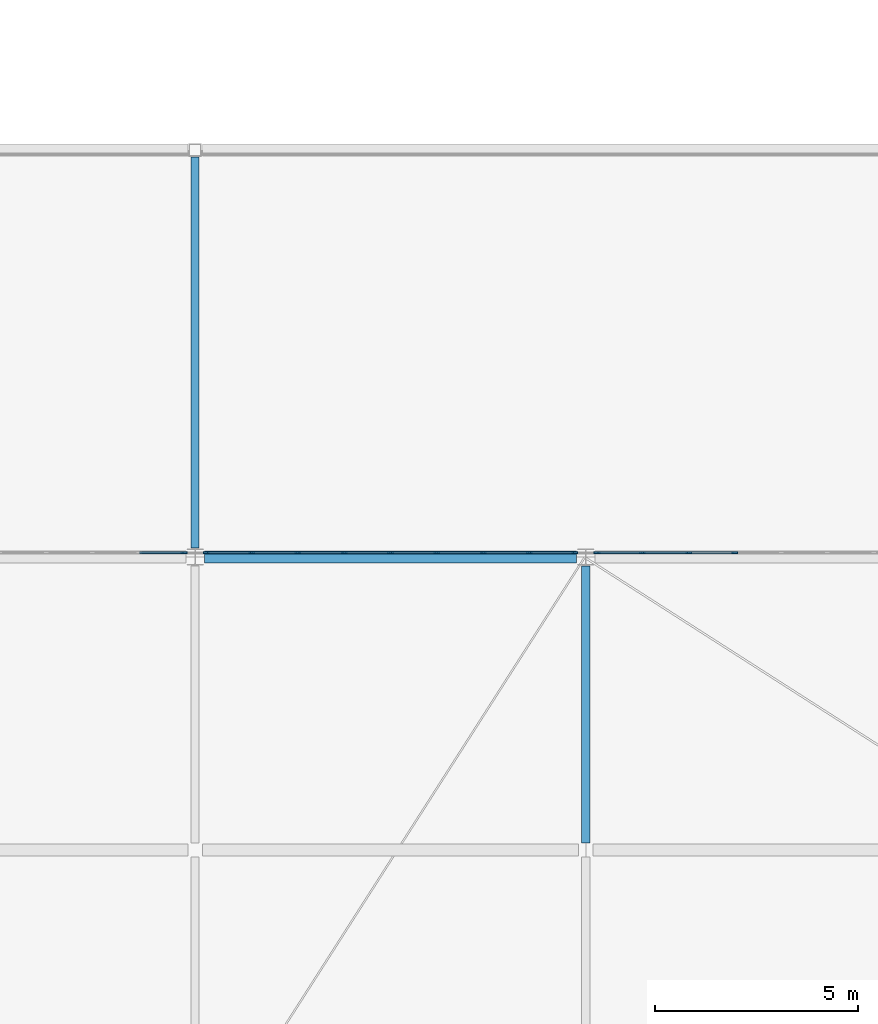
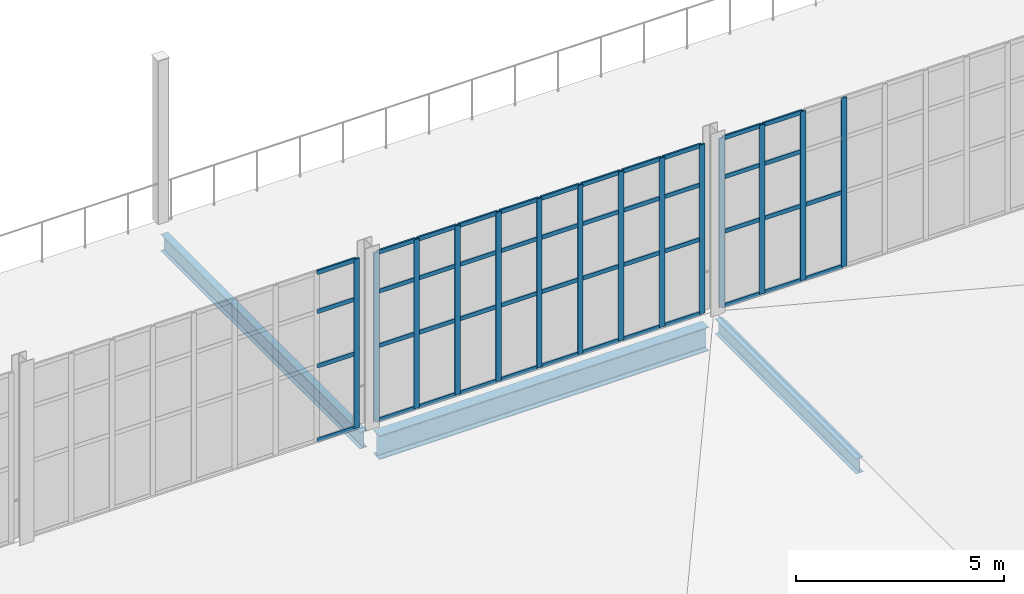
# One storey, part 35 of 112: 60 members, 3 beams, 3 elements without a shape of their own.
"""IFC4 building model written with IfcOpenShell, lengths in metres."""

from ifc_helpers import new_model, si_unit, direction, frame, origin, origin_2d, place, context, subcontext, project, spatial, rectangle, i_section, extrude, material, layer, layer_set, material_profile, profile_set, type_object, element, aggregate, save


model = new_model("IFC4")

# Units and contexts
model_context = context("Model", 3, precision=1e-05, world=origin(), true_north=direction((0.0, 1.0)))
body_context = subcontext(model_context, "Body", "Model", "MODEL_VIEW")
ifc_project = project(units=[si_unit("LENGTHUNIT", "METRE"), si_unit("AREAUNIT", "SQUARE_METRE"), si_unit("VOLUMEUNIT", "CUBIC_METRE"), si_unit("PLANEANGLEUNIT", "RADIAN"), si_unit("MASSUNIT", "GRAM", prefix="KILO")], contexts=[model_context])

# Site, building, storey
site_placement = place(None, origin())
site = spatial("IfcSite", under=ifc_project, at=site_placement, CompositionType="ELEMENT")
building_placement = place(site_placement, origin())
building = spatial("IfcBuilding", under=site, at=building_placement, Name="Yeouljin Market Hall", CompositionType="ELEMENT")
storey_placement = place(building_placement, frame((0.0, 0.0, 6.0)))
storey = spatial("IfcBuildingStorey", under=building, at=storey_placement, Name="L01", CompositionType="ELEMENT", Elevation=6.0)

# Beams
ifc_material_1 = material(Name="Steel SM355", Category="steel")
ifc_material_profile_1 = material_profile(ifc_material_1, i_section(OverallWidth=0.199951171875, OverallDepth=0.449951171875, WebThickness=0.009033203125, FlangeThickness=0.013916015625, FilletRadius=0.01806640625, at=origin_2d()), Name="H-450x200x9x14")
ifc_profile_set_1 = profile_set([ifc_material_profile_1], Name="Steel SM355")
beam_type_1 = type_object("IfcBeamType", Name="Beam_H-450x200x9x14", PredefinedType="BEAM", material=ifc_profile_set_1)
beam_1_placement = place(storey_placement, frame((112.199951171875, 28.97509765625, -0.2451171875), z_axis=(0.0, 1.0, 0.0), x_axis=(-1.0, 0.0, 0.0)))
element("IfcBeam", 1, at=beam_1_placement, inside=storey, type_object=beam_type_1, Name="Boulevard forecourt canopy beam BM-V5FC-Y28", PredefinedType="BEAM", context=body_context, shape_type="SweptSolid", body=[
    extrude(i_section(OverallWidth=0.199951171875, OverallDepth=0.449951171875, WebThickness=0.009033203125, FlangeThickness=0.013916015625, FilletRadius=0.01806640625, at=origin_2d()), origin(), (0.0, 0.0, 1.0), 6.7998046875),
])
ifc_material_2 = material(Name="Steel SM355", Category="steel")
ifc_material_profile_2 = material_profile(ifc_material_2, i_section(OverallWidth=0.199951171875, OverallDepth=0.5, WebThickness=0.010009765625, FlangeThickness=0.01611328125, FilletRadius=0.02001953125, at=origin_2d()), Name="H-500x200x10x16")
ifc_profile_set_2 = profile_set([ifc_material_profile_2], Name="Steel SM355")
beam_type_2 = type_object("IfcBeamType", Name="Beam_H-500x200x10x16", PredefinedType="BEAM", material=ifc_profile_set_2)
beam_2_placement = place(storey_placement, frame((102.60009765625, 36.22509765625, -0.52001953125), z_axis=(0.0, 1.0, 0.0), x_axis=(-1.0, 0.0, 0.0)))
element("IfcBeam", 2, at=beam_2_placement, inside=storey, type_object=beam_type_2, Name="Primary beam BM-L01-Y184", PredefinedType="BEAM", context=body_context, shape_type="SweptSolid", body=[
    extrude(i_section(OverallWidth=0.199951171875, OverallDepth=0.5, WebThickness=0.010009765625, FlangeThickness=0.01611328125, FilletRadius=0.02001953125, at=origin_2d()), origin(), (0.0, 0.0, 1.0), 9.599853515625),
])

# Curtain wall, member
ifc_material_3 = material(Name="Thermally Broken Aluminium", Category="aluminium")
ifc_layer = layer(ifc_material_3, 0.159912109375)
ifc_layer_set = layer_set([ifc_layer], Name="Thermally Broken Aluminium")
curtain_wall_type = type_object("IfcCurtainWallType", Name="CW_HallClerestory_System", PredefinedType="USERDEFINED", material=ifc_layer_set)
curtain_wall_1_placement = place(storey_placement, origin())
curtain_wall_1 = element("IfcCurtainWall", 3, at=curtain_wall_1_placement, inside=storey, type_object=curtain_wall_type, Name="Curtain wall CW-V1S-L01-07", ObjectType="CURTAIN WALL", PredefinedType="USERDEFINED")
ifc_material_4 = material(Name="Thermally Broken Aluminium", Category="aluminium")
ifc_material_profile_3 = material_profile(ifc_material_4, rectangle(XDim=0.048095703125, YDim=0.14990234375, at=origin_2d()), Name="CW-MULL-48x150")
ifc_profile_set_3 = profile_set([ifc_material_profile_3], Name="Thermally Broken Aluminium")
member_type_1 = type_object("IfcMemberType", Name="CWMullion_48x150", PredefinedType="MULLION", material=ifc_profile_set_3)
member_1_placement = place(storey_placement, frame((102.325927734375, 36.10009765625, 0.0), z_axis=(0.0, 0.0, 1.0), x_axis=(0.0, -1.0, 0.0)))
member_1 = element("IfcMember", 4, at=member_1_placement, type_object=member_type_1, Name="CW-02 mullion 1", PredefinedType="MULLION", context=body_context, shape_type="SweptSolid", body=[
    extrude(rectangle(XDim=0.048095703125, YDim=0.14990234375, at=origin_2d()), origin(), (0.0, 0.0, 1.0), 4.969970703125),
])

# Curtain wall, members
curtain_wall_2_placement = place(storey_placement, origin())
curtain_wall_2 = element("IfcCurtainWall", 5, at=curtain_wall_2_placement, inside=storey, type_object=curtain_wall_type, Name="Curtain wall CW-V1S-L01-08", ObjectType="CURTAIN WALL", PredefinedType="USERDEFINED")
member_2_placement = place(storey_placement, frame((111.926025390625, 36.10009765625, 0.0), z_axis=(0.0, 0.0, 1.0), x_axis=(0.0, -1.0, 0.0)))
member_2 = element("IfcMember", 6, at=member_2_placement, type_object=member_type_1, Name="CW-02 mullion 1", PredefinedType="MULLION", context=body_context, shape_type="SweptSolid", body=[
    extrude(rectangle(XDim=0.048095703125, YDim=0.14990234375, at=origin_2d()), origin(), (0.0, 0.0, 1.0), 4.969970703125),
])
member_3_placement = place(storey_placement, frame((110.8125, 36.10009765625, 0.0), z_axis=(0.0, 0.0, 1.0), x_axis=(0.0, -1.0, 0.0)))
member_3 = element("IfcMember", 7, at=member_3_placement, type_object=member_type_1, Name="CW-02 mullion 2", PredefinedType="MULLION", context=body_context, shape_type="SweptSolid", body=[
    extrude(rectangle(XDim=0.048095703125, YDim=0.14990234375, at=origin_2d()), origin(), (0.0, 0.0, 1.0), 4.969970703125),
])
member_4_placement = place(storey_placement, frame((109.675048828125, 36.10009765625, 0.0), z_axis=(0.0, 0.0, 1.0), x_axis=(0.0, -1.0, 0.0)))
member_4 = element("IfcMember", 8, at=member_4_placement, type_object=member_type_1, Name="CW-02 mullion 3", PredefinedType="MULLION", context=body_context, shape_type="SweptSolid", body=[
    extrude(rectangle(XDim=0.048095703125, YDim=0.14990234375, at=origin_2d()), origin(), (0.0, 0.0, 1.0), 4.969970703125),
])
member_5_placement = place(storey_placement, frame((108.53759765625, 36.10009765625, 0.0), z_axis=(0.0, 0.0, 1.0), x_axis=(0.0, -1.0, 0.0)))
member_5 = element("IfcMember", 9, at=member_5_placement, type_object=member_type_1, Name="CW-02 mullion 4", PredefinedType="MULLION", context=body_context, shape_type="SweptSolid", body=[
    extrude(rectangle(XDim=0.048095703125, YDim=0.14990234375, at=origin_2d()), origin(), (0.0, 0.0, 1.0), 4.969970703125),
])
member_6_placement = place(storey_placement, frame((107.39990234375, 36.10009765625, 0.0), z_axis=(0.0, 0.0, 1.0), x_axis=(0.0, -1.0, 0.0)))
member_6 = element("IfcMember", 10, at=member_6_placement, type_object=member_type_1, Name="CW-02 mullion 5", PredefinedType="MULLION", context=body_context, shape_type="SweptSolid", body=[
    extrude(rectangle(XDim=0.048095703125, YDim=0.14990234375, at=origin_2d()), origin(), (0.0, 0.0, 1.0), 4.969970703125),
])
member_7_placement = place(storey_placement, frame((106.262451171875, 36.10009765625, 0.0), z_axis=(0.0, 0.0, 1.0), x_axis=(0.0, -1.0, 0.0)))
member_7 = element("IfcMember", 11, at=member_7_placement, type_object=member_type_1, Name="CW-02 mullion 6", PredefinedType="MULLION", context=body_context, shape_type="SweptSolid", body=[
    extrude(rectangle(XDim=0.048095703125, YDim=0.14990234375, at=origin_2d()), origin(), (0.0, 0.0, 1.0), 4.969970703125),
])
member_8_placement = place(storey_placement, frame((105.125, 36.10009765625, 0.0), z_axis=(0.0, 0.0, 1.0), x_axis=(0.0, -1.0, 0.0)))
member_8 = element("IfcMember", 12, at=member_8_placement, type_object=member_type_1, Name="CW-02 mullion 7", PredefinedType="MULLION", context=body_context, shape_type="SweptSolid", body=[
    extrude(rectangle(XDim=0.048095703125, YDim=0.14990234375, at=origin_2d()), origin(), (0.0, 0.0, 1.0), 4.969970703125),
])
member_9_placement = place(storey_placement, frame((103.987548828125, 36.10009765625, 0.0), z_axis=(0.0, 0.0, 1.0), x_axis=(0.0, -1.0, 0.0)))
member_9 = element("IfcMember", 13, at=member_9_placement, type_object=member_type_1, Name="CW-02 mullion 8", PredefinedType="MULLION", context=body_context, shape_type="SweptSolid", body=[
    extrude(rectangle(XDim=0.048095703125, YDim=0.14990234375, at=origin_2d()), origin(), (0.0, 0.0, 1.0), 4.969970703125),
])
member_10_placement = place(storey_placement, frame((102.8740234375, 36.10009765625, 0.0), z_axis=(0.0, 0.0, 1.0), x_axis=(0.0, -1.0, 0.0)))
member_10 = element("IfcMember", 14, at=member_10_placement, type_object=member_type_1, Name="CW-02 mullion 9", PredefinedType="MULLION", context=body_context, shape_type="SweptSolid", body=[
    extrude(rectangle(XDim=0.048095703125, YDim=0.14990234375, at=origin_2d()), origin(), (0.0, 0.0, 1.0), 4.969970703125),
])

curtain_wall_3_placement = place(storey_placement, origin())
curtain_wall_3 = element("IfcCurtainWall", 15, at=curtain_wall_3_placement, inside=storey, type_object=curtain_wall_type, Name="Curtain wall CW-V1S-L01-09", ObjectType="CURTAIN WALL", PredefinedType="USERDEFINED")
member_11_placement = place(storey_placement, frame((115.862548828125, 36.10009765625, 0.0), z_axis=(0.0, 0.0, 1.0), x_axis=(0.0, -1.0, 0.0)))
member_11 = element("IfcMember", 16, at=member_11_placement, type_object=member_type_1, Name="CW-02 mullion 6", PredefinedType="MULLION", context=body_context, shape_type="SweptSolid", body=[
    extrude(rectangle(XDim=0.048095703125, YDim=0.14990234375, at=origin_2d()), origin(), (0.0, 0.0, 1.0), 4.969970703125),
])
member_12_placement = place(storey_placement, frame((114.72509765625, 36.10009765625, 0.0), z_axis=(0.0, 0.0, 1.0), x_axis=(0.0, -1.0, 0.0)))
member_12 = element("IfcMember", 17, at=member_12_placement, type_object=member_type_1, Name="CW-02 mullion 7", PredefinedType="MULLION", context=body_context, shape_type="SweptSolid", body=[
    extrude(rectangle(XDim=0.048095703125, YDim=0.14990234375, at=origin_2d()), origin(), (0.0, 0.0, 1.0), 4.969970703125),
])
member_13_placement = place(storey_placement, frame((113.58740234375, 36.10009765625, 0.0), z_axis=(0.0, 0.0, 1.0), x_axis=(0.0, -1.0, 0.0)))
member_13 = element("IfcMember", 18, at=member_13_placement, type_object=member_type_1, Name="CW-02 mullion 8", PredefinedType="MULLION", context=body_context, shape_type="SweptSolid", body=[
    extrude(rectangle(XDim=0.048095703125, YDim=0.14990234375, at=origin_2d()), origin(), (0.0, 0.0, 1.0), 4.969970703125),
])
member_14_placement = place(storey_placement, frame((112.47412109375, 36.10009765625, 0.0), z_axis=(0.0, 0.0, 1.0), x_axis=(0.0, -1.0, 0.0)))
member_14 = element("IfcMember", 19, at=member_14_placement, type_object=member_type_1, Name="CW-02 mullion 9", PredefinedType="MULLION", context=body_context, shape_type="SweptSolid", body=[
    extrude(rectangle(XDim=0.048095703125, YDim=0.14990234375, at=origin_2d()), origin(), (0.0, 0.0, 1.0), 4.969970703125),
])

# Member
ifc_material_5 = material(Name="Thermally Broken Aluminium", Category="aluminium")
ifc_material_profile_4 = material_profile(ifc_material_5, rectangle(XDim=0.048095703125, YDim=0.1201171875, at=origin_2d()), Name="CW-TRAN-48x120")
ifc_profile_set_4 = profile_set([ifc_material_profile_4], Name="Thermally Broken Aluminium")
member_type_2 = type_object("IfcMemberType", Name="CWTransom_48x120", PredefinedType="USERDEFINED", material=ifc_profile_set_4)
member_15_placement = place(storey_placement, frame((102.302001953125, 36.10009765625, 0.02392578125), z_axis=(-1.0, 0.0, 0.0), x_axis=(0.0, -1.0, 0.0)))
member_15 = element("IfcMember", 20, at=member_15_placement, type_object=member_type_2, Name="CW-02 transom 1.1", ObjectType="TRANSOM", PredefinedType="USERDEFINED", context=body_context, shape_type="SweptSolid", body=[
    extrude(rectangle(XDim=0.048095703125, YDim=0.1201171875, at=origin_2d()), origin(), (0.0, 0.0, 1.0), 1.0654296875),
])

member_16_placement = place(storey_placement, frame((102.302001953125, 36.10009765625, 2.199951171875), z_axis=(-1.0, 0.0, 0.0), x_axis=(0.0, -1.0, 0.0)))
member_16 = element("IfcMember", 21, at=member_16_placement, type_object=member_type_2, Name="CW-02 transom 1.2", ObjectType="TRANSOM", PredefinedType="USERDEFINED", context=body_context, shape_type="SweptSolid", body=[
    extrude(rectangle(XDim=0.048095703125, YDim=0.1201171875, at=origin_2d()), origin(), (0.0, 0.0, 1.0), 1.0654296875),
])

member_17_placement = place(storey_placement, frame((102.302001953125, 36.10009765625, 3.800048828125), z_axis=(-1.0, 0.0, 0.0), x_axis=(0.0, -1.0, 0.0)))
member_17 = element("IfcMember", 22, at=member_17_placement, type_object=member_type_2, Name="CW-02 transom 1.3", ObjectType="TRANSOM", PredefinedType="USERDEFINED", context=body_context, shape_type="SweptSolid", body=[
    extrude(rectangle(XDim=0.048095703125, YDim=0.1201171875, at=origin_2d()), origin(), (0.0, 0.0, 1.0), 1.0654296875),
])

member_18_placement = place(storey_placement, frame((102.302001953125, 36.10009765625, 4.946044921875), z_axis=(-1.0, 0.0, 0.0), x_axis=(0.0, -1.0, 0.0)))
member_18 = element("IfcMember", 23, at=member_18_placement, type_object=member_type_2, Name="CW-02 transom 1.4", ObjectType="TRANSOM", PredefinedType="USERDEFINED", context=body_context, shape_type="SweptSolid", body=[
    extrude(rectangle(XDim=0.048095703125, YDim=0.1201171875, at=origin_2d()), origin(), (0.0, 0.0, 1.0), 1.0654296875),
])

aggregate(curtain_wall_1, [member_1, member_15, member_16, member_17, member_18])

member_19_placement = place(storey_placement, frame((111.902099609375, 36.10009765625, 0.02392578125), z_axis=(-1.0, 0.0, 0.0), x_axis=(0.0, -1.0, 0.0)))
member_19 = element("IfcMember", 24, at=member_19_placement, type_object=member_type_2, Name="CW-02 transom 1.1", ObjectType="TRANSOM", PredefinedType="USERDEFINED", context=body_context, shape_type="SweptSolid", body=[
    extrude(rectangle(XDim=0.048095703125, YDim=0.1201171875, at=origin_2d()), origin(), (0.0, 0.0, 1.0), 1.065673828125),
])

member_20_placement = place(storey_placement, frame((111.902099609375, 36.10009765625, 2.199951171875), z_axis=(-1.0, 0.0, 0.0), x_axis=(0.0, -1.0, 0.0)))
member_20 = element("IfcMember", 25, at=member_20_placement, type_object=member_type_2, Name="CW-02 transom 1.2", ObjectType="TRANSOM", PredefinedType="USERDEFINED", context=body_context, shape_type="SweptSolid", body=[
    extrude(rectangle(XDim=0.048095703125, YDim=0.1201171875, at=origin_2d()), origin(), (0.0, 0.0, 1.0), 1.065673828125),
])

member_21_placement = place(storey_placement, frame((111.902099609375, 36.10009765625, 3.800048828125), z_axis=(-1.0, 0.0, 0.0), x_axis=(0.0, -1.0, 0.0)))
member_21 = element("IfcMember", 26, at=member_21_placement, type_object=member_type_2, Name="CW-02 transom 1.3", ObjectType="TRANSOM", PredefinedType="USERDEFINED", context=body_context, shape_type="SweptSolid", body=[
    extrude(rectangle(XDim=0.048095703125, YDim=0.1201171875, at=origin_2d()), origin(), (0.0, 0.0, 1.0), 1.065673828125),
])

member_22_placement = place(storey_placement, frame((111.902099609375, 36.10009765625, 4.946044921875), z_axis=(-1.0, 0.0, 0.0), x_axis=(0.0, -1.0, 0.0)))
member_22 = element("IfcMember", 27, at=member_22_placement, type_object=member_type_2, Name="CW-02 transom 1.4", ObjectType="TRANSOM", PredefinedType="USERDEFINED", context=body_context, shape_type="SweptSolid", body=[
    extrude(rectangle(XDim=0.048095703125, YDim=0.1201171875, at=origin_2d()), origin(), (0.0, 0.0, 1.0), 1.065673828125),
])

member_23_placement = place(storey_placement, frame((110.78857421875, 36.10009765625, 0.02392578125), z_axis=(-1.0, 0.0, 0.0), x_axis=(0.0, -1.0, 0.0)))
member_23 = element("IfcMember", 28, at=member_23_placement, type_object=member_type_2, Name="CW-02 transom 2.1", ObjectType="TRANSOM", PredefinedType="USERDEFINED", context=body_context, shape_type="SweptSolid", body=[
    extrude(rectangle(XDim=0.048095703125, YDim=0.1201171875, at=origin_2d()), origin(), (0.0, 0.0, 1.0), 1.089599609375),
])

member_24_placement = place(storey_placement, frame((110.78857421875, 36.10009765625, 2.199951171875), z_axis=(-1.0, 0.0, 0.0), x_axis=(0.0, -1.0, 0.0)))
member_24 = element("IfcMember", 29, at=member_24_placement, type_object=member_type_2, Name="CW-02 transom 2.2", ObjectType="TRANSOM", PredefinedType="USERDEFINED", context=body_context, shape_type="SweptSolid", body=[
    extrude(rectangle(XDim=0.048095703125, YDim=0.1201171875, at=origin_2d()), origin(), (0.0, 0.0, 1.0), 1.089599609375),
])

member_25_placement = place(storey_placement, frame((110.78857421875, 36.10009765625, 3.800048828125), z_axis=(-1.0, 0.0, 0.0), x_axis=(0.0, -1.0, 0.0)))
member_25 = element("IfcMember", 30, at=member_25_placement, type_object=member_type_2, Name="CW-02 transom 2.3", ObjectType="TRANSOM", PredefinedType="USERDEFINED", context=body_context, shape_type="SweptSolid", body=[
    extrude(rectangle(XDim=0.048095703125, YDim=0.1201171875, at=origin_2d()), origin(), (0.0, 0.0, 1.0), 1.089599609375),
])

member_26_placement = place(storey_placement, frame((110.78857421875, 36.10009765625, 4.946044921875), z_axis=(-1.0, 0.0, 0.0), x_axis=(0.0, -1.0, 0.0)))
member_26 = element("IfcMember", 31, at=member_26_placement, type_object=member_type_2, Name="CW-02 transom 2.4", ObjectType="TRANSOM", PredefinedType="USERDEFINED", context=body_context, shape_type="SweptSolid", body=[
    extrude(rectangle(XDim=0.048095703125, YDim=0.1201171875, at=origin_2d()), origin(), (0.0, 0.0, 1.0), 1.089599609375),
])

member_27_placement = place(storey_placement, frame((109.65087890625, 36.10009765625, 0.02392578125), z_axis=(-1.0, 0.0, 0.0), x_axis=(0.0, -1.0, 0.0)))
member_27 = element("IfcMember", 32, at=member_27_placement, type_object=member_type_2, Name="CW-02 transom 3.1", ObjectType="TRANSOM", PredefinedType="USERDEFINED", context=body_context, shape_type="SweptSolid", body=[
    extrude(rectangle(XDim=0.048095703125, YDim=0.1201171875, at=origin_2d()), origin(), (0.0, 0.0, 1.0), 1.08935546875),
])

member_28_placement = place(storey_placement, frame((109.65087890625, 36.10009765625, 2.199951171875), z_axis=(-1.0, 0.0, 0.0), x_axis=(0.0, -1.0, 0.0)))
member_28 = element("IfcMember", 33, at=member_28_placement, type_object=member_type_2, Name="CW-02 transom 3.2", ObjectType="TRANSOM", PredefinedType="USERDEFINED", context=body_context, shape_type="SweptSolid", body=[
    extrude(rectangle(XDim=0.048095703125, YDim=0.1201171875, at=origin_2d()), origin(), (0.0, 0.0, 1.0), 1.08935546875),
])

member_29_placement = place(storey_placement, frame((109.65087890625, 36.10009765625, 3.800048828125), z_axis=(-1.0, 0.0, 0.0), x_axis=(0.0, -1.0, 0.0)))
member_29 = element("IfcMember", 34, at=member_29_placement, type_object=member_type_2, Name="CW-02 transom 3.3", ObjectType="TRANSOM", PredefinedType="USERDEFINED", context=body_context, shape_type="SweptSolid", body=[
    extrude(rectangle(XDim=0.048095703125, YDim=0.1201171875, at=origin_2d()), origin(), (0.0, 0.0, 1.0), 1.08935546875),
])

member_30_placement = place(storey_placement, frame((109.65087890625, 36.10009765625, 4.946044921875), z_axis=(-1.0, 0.0, 0.0), x_axis=(0.0, -1.0, 0.0)))
member_30 = element("IfcMember", 35, at=member_30_placement, type_object=member_type_2, Name="CW-02 transom 3.4", ObjectType="TRANSOM", PredefinedType="USERDEFINED", context=body_context, shape_type="SweptSolid", body=[
    extrude(rectangle(XDim=0.048095703125, YDim=0.1201171875, at=origin_2d()), origin(), (0.0, 0.0, 1.0), 1.08935546875),
])

member_31_placement = place(storey_placement, frame((108.513427734375, 36.10009765625, 0.02392578125), z_axis=(-1.0, 0.0, 0.0), x_axis=(0.0, -1.0, 0.0)))
member_31 = element("IfcMember", 36, at=member_31_placement, type_object=member_type_2, Name="CW-02 transom 4.1", ObjectType="TRANSOM", PredefinedType="USERDEFINED", context=body_context, shape_type="SweptSolid", body=[
    extrude(rectangle(XDim=0.048095703125, YDim=0.1201171875, at=origin_2d()), origin(), (0.0, 0.0, 1.0), 1.08935546875),
])

member_32_placement = place(storey_placement, frame((108.513427734375, 36.10009765625, 2.199951171875), z_axis=(-1.0, 0.0, 0.0), x_axis=(0.0, -1.0, 0.0)))
member_32 = element("IfcMember", 37, at=member_32_placement, type_object=member_type_2, Name="CW-02 transom 4.2", ObjectType="TRANSOM", PredefinedType="USERDEFINED", context=body_context, shape_type="SweptSolid", body=[
    extrude(rectangle(XDim=0.048095703125, YDim=0.1201171875, at=origin_2d()), origin(), (0.0, 0.0, 1.0), 1.08935546875),
])

member_33_placement = place(storey_placement, frame((108.513427734375, 36.10009765625, 3.800048828125), z_axis=(-1.0, 0.0, 0.0), x_axis=(0.0, -1.0, 0.0)))
member_33 = element("IfcMember", 38, at=member_33_placement, type_object=member_type_2, Name="CW-02 transom 4.3", ObjectType="TRANSOM", PredefinedType="USERDEFINED", context=body_context, shape_type="SweptSolid", body=[
    extrude(rectangle(XDim=0.048095703125, YDim=0.1201171875, at=origin_2d()), origin(), (0.0, 0.0, 1.0), 1.08935546875),
])

member_34_placement = place(storey_placement, frame((108.513427734375, 36.10009765625, 4.946044921875), z_axis=(-1.0, 0.0, 0.0), x_axis=(0.0, -1.0, 0.0)))
member_34 = element("IfcMember", 39, at=member_34_placement, type_object=member_type_2, Name="CW-02 transom 4.4", ObjectType="TRANSOM", PredefinedType="USERDEFINED", context=body_context, shape_type="SweptSolid", body=[
    extrude(rectangle(XDim=0.048095703125, YDim=0.1201171875, at=origin_2d()), origin(), (0.0, 0.0, 1.0), 1.08935546875),
])

member_35_placement = place(storey_placement, frame((107.3759765625, 36.10009765625, 0.02392578125), z_axis=(-1.0, 0.0, 0.0), x_axis=(0.0, -1.0, 0.0)))
member_35 = element("IfcMember", 40, at=member_35_placement, type_object=member_type_2, Name="CW-02 transom 5.1", ObjectType="TRANSOM", PredefinedType="USERDEFINED", context=body_context, shape_type="SweptSolid", body=[
    extrude(rectangle(XDim=0.048095703125, YDim=0.1201171875, at=origin_2d()), origin(), (0.0, 0.0, 1.0), 1.08935546875),
])

member_36_placement = place(storey_placement, frame((107.3759765625, 36.10009765625, 2.199951171875), z_axis=(-1.0, 0.0, 0.0), x_axis=(0.0, -1.0, 0.0)))
member_36 = element("IfcMember", 41, at=member_36_placement, type_object=member_type_2, Name="CW-02 transom 5.2", ObjectType="TRANSOM", PredefinedType="USERDEFINED", context=body_context, shape_type="SweptSolid", body=[
    extrude(rectangle(XDim=0.048095703125, YDim=0.1201171875, at=origin_2d()), origin(), (0.0, 0.0, 1.0), 1.08935546875),
])

member_37_placement = place(storey_placement, frame((107.3759765625, 36.10009765625, 3.800048828125), z_axis=(-1.0, 0.0, 0.0), x_axis=(0.0, -1.0, 0.0)))
member_37 = element("IfcMember", 42, at=member_37_placement, type_object=member_type_2, Name="CW-02 transom 5.3", ObjectType="TRANSOM", PredefinedType="USERDEFINED", context=body_context, shape_type="SweptSolid", body=[
    extrude(rectangle(XDim=0.048095703125, YDim=0.1201171875, at=origin_2d()), origin(), (0.0, 0.0, 1.0), 1.08935546875),
])

member_38_placement = place(storey_placement, frame((107.3759765625, 36.10009765625, 4.946044921875), z_axis=(-1.0, 0.0, 0.0), x_axis=(0.0, -1.0, 0.0)))
member_38 = element("IfcMember", 43, at=member_38_placement, type_object=member_type_2, Name="CW-02 transom 5.4", ObjectType="TRANSOM", PredefinedType="USERDEFINED", context=body_context, shape_type="SweptSolid", body=[
    extrude(rectangle(XDim=0.048095703125, YDim=0.1201171875, at=origin_2d()), origin(), (0.0, 0.0, 1.0), 1.08935546875),
])

member_39_placement = place(storey_placement, frame((106.238525390625, 36.10009765625, 0.02392578125), z_axis=(-1.0, 0.0, 0.0), x_axis=(0.0, -1.0, 0.0)))
member_39 = element("IfcMember", 44, at=member_39_placement, type_object=member_type_2, Name="CW-02 transom 6.1", ObjectType="TRANSOM", PredefinedType="USERDEFINED", context=body_context, shape_type="SweptSolid", body=[
    extrude(rectangle(XDim=0.048095703125, YDim=0.1201171875, at=origin_2d()), origin(), (0.0, 0.0, 1.0), 1.089599609375),
])

member_40_placement = place(storey_placement, frame((106.238525390625, 36.10009765625, 2.199951171875), z_axis=(-1.0, 0.0, 0.0), x_axis=(0.0, -1.0, 0.0)))
member_40 = element("IfcMember", 45, at=member_40_placement, type_object=member_type_2, Name="CW-02 transom 6.2", ObjectType="TRANSOM", PredefinedType="USERDEFINED", context=body_context, shape_type="SweptSolid", body=[
    extrude(rectangle(XDim=0.048095703125, YDim=0.1201171875, at=origin_2d()), origin(), (0.0, 0.0, 1.0), 1.089599609375),
])

member_41_placement = place(storey_placement, frame((106.238525390625, 36.10009765625, 3.800048828125), z_axis=(-1.0, 0.0, 0.0), x_axis=(0.0, -1.0, 0.0)))
member_41 = element("IfcMember", 46, at=member_41_placement, type_object=member_type_2, Name="CW-02 transom 6.3", ObjectType="TRANSOM", PredefinedType="USERDEFINED", context=body_context, shape_type="SweptSolid", body=[
    extrude(rectangle(XDim=0.048095703125, YDim=0.1201171875, at=origin_2d()), origin(), (0.0, 0.0, 1.0), 1.089599609375),
])

member_42_placement = place(storey_placement, frame((106.238525390625, 36.10009765625, 4.946044921875), z_axis=(-1.0, 0.0, 0.0), x_axis=(0.0, -1.0, 0.0)))
member_42 = element("IfcMember", 47, at=member_42_placement, type_object=member_type_2, Name="CW-02 transom 6.4", ObjectType="TRANSOM", PredefinedType="USERDEFINED", context=body_context, shape_type="SweptSolid", body=[
    extrude(rectangle(XDim=0.048095703125, YDim=0.1201171875, at=origin_2d()), origin(), (0.0, 0.0, 1.0), 1.089599609375),
])

member_43_placement = place(storey_placement, frame((105.10107421875, 36.10009765625, 0.02392578125), z_axis=(-1.0, 0.0, 0.0), x_axis=(0.0, -1.0, 0.0)))
member_43 = element("IfcMember", 48, at=member_43_placement, type_object=member_type_2, Name="CW-02 transom 7.1", ObjectType="TRANSOM", PredefinedType="USERDEFINED", context=body_context, shape_type="SweptSolid", body=[
    extrude(rectangle(XDim=0.048095703125, YDim=0.1201171875, at=origin_2d()), origin(), (0.0, 0.0, 1.0), 1.089599609375),
])

member_44_placement = place(storey_placement, frame((105.10107421875, 36.10009765625, 2.199951171875), z_axis=(-1.0, 0.0, 0.0), x_axis=(0.0, -1.0, 0.0)))
member_44 = element("IfcMember", 49, at=member_44_placement, type_object=member_type_2, Name="CW-02 transom 7.2", ObjectType="TRANSOM", PredefinedType="USERDEFINED", context=body_context, shape_type="SweptSolid", body=[
    extrude(rectangle(XDim=0.048095703125, YDim=0.1201171875, at=origin_2d()), origin(), (0.0, 0.0, 1.0), 1.089599609375),
])

member_45_placement = place(storey_placement, frame((105.10107421875, 36.10009765625, 3.800048828125), z_axis=(-1.0, 0.0, 0.0), x_axis=(0.0, -1.0, 0.0)))
member_45 = element("IfcMember", 50, at=member_45_placement, type_object=member_type_2, Name="CW-02 transom 7.3", ObjectType="TRANSOM", PredefinedType="USERDEFINED", context=body_context, shape_type="SweptSolid", body=[
    extrude(rectangle(XDim=0.048095703125, YDim=0.1201171875, at=origin_2d()), origin(), (0.0, 0.0, 1.0), 1.089599609375),
])

member_46_placement = place(storey_placement, frame((105.10107421875, 36.10009765625, 4.946044921875), z_axis=(-1.0, 0.0, 0.0), x_axis=(0.0, -1.0, 0.0)))
member_46 = element("IfcMember", 51, at=member_46_placement, type_object=member_type_2, Name="CW-02 transom 7.4", ObjectType="TRANSOM", PredefinedType="USERDEFINED", context=body_context, shape_type="SweptSolid", body=[
    extrude(rectangle(XDim=0.048095703125, YDim=0.1201171875, at=origin_2d()), origin(), (0.0, 0.0, 1.0), 1.089599609375),
])

member_47_placement = place(storey_placement, frame((103.96337890625, 36.10009765625, 0.02392578125), z_axis=(-1.0, 0.0, 0.0), x_axis=(0.0, -1.0, 0.0)))
member_47 = element("IfcMember", 52, at=member_47_placement, type_object=member_type_2, Name="CW-02 transom 8.1", ObjectType="TRANSOM", PredefinedType="USERDEFINED", context=body_context, shape_type="SweptSolid", body=[
    extrude(rectangle(XDim=0.048095703125, YDim=0.1201171875, at=origin_2d()), origin(), (0.0, 0.0, 1.0), 1.0654296875),
])

member_48_placement = place(storey_placement, frame((103.96337890625, 36.10009765625, 2.199951171875), z_axis=(-1.0, 0.0, 0.0), x_axis=(0.0, -1.0, 0.0)))
member_48 = element("IfcMember", 53, at=member_48_placement, type_object=member_type_2, Name="CW-02 transom 8.2", ObjectType="TRANSOM", PredefinedType="USERDEFINED", context=body_context, shape_type="SweptSolid", body=[
    extrude(rectangle(XDim=0.048095703125, YDim=0.1201171875, at=origin_2d()), origin(), (0.0, 0.0, 1.0), 1.0654296875),
])

member_49_placement = place(storey_placement, frame((103.96337890625, 36.10009765625, 3.800048828125), z_axis=(-1.0, 0.0, 0.0), x_axis=(0.0, -1.0, 0.0)))
member_49 = element("IfcMember", 54, at=member_49_placement, type_object=member_type_2, Name="CW-02 transom 8.3", ObjectType="TRANSOM", PredefinedType="USERDEFINED", context=body_context, shape_type="SweptSolid", body=[
    extrude(rectangle(XDim=0.048095703125, YDim=0.1201171875, at=origin_2d()), origin(), (0.0, 0.0, 1.0), 1.0654296875),
])

member_50_placement = place(storey_placement, frame((103.96337890625, 36.10009765625, 4.946044921875), z_axis=(-1.0, 0.0, 0.0), x_axis=(0.0, -1.0, 0.0)))
member_50 = element("IfcMember", 55, at=member_50_placement, type_object=member_type_2, Name="CW-02 transom 8.4", ObjectType="TRANSOM", PredefinedType="USERDEFINED", context=body_context, shape_type="SweptSolid", body=[
    extrude(rectangle(XDim=0.048095703125, YDim=0.1201171875, at=origin_2d()), origin(), (0.0, 0.0, 1.0), 1.0654296875),
])

aggregate(curtain_wall_2, [member_2, member_3, member_4, member_5, member_6, member_7, member_8, member_9, member_10, member_19, member_20, member_21, member_22, member_23, member_24, member_25, member_26, member_27, member_28, member_29, member_30, member_31, member_32, member_33, member_34, member_35, member_36, member_37, member_38, member_39, member_40, member_41, member_42, member_43, member_44, member_45, member_46, member_47, member_48, member_49, member_50])

member_51_placement = place(storey_placement, frame((115.83837890625, 36.10009765625, 0.02392578125), z_axis=(-1.0, 0.0, 0.0), x_axis=(0.0, -1.0, 0.0)))
member_51 = element("IfcMember", 56, at=member_51_placement, type_object=member_type_2, Name="CW-02 transom 6.1", ObjectType="TRANSOM", PredefinedType="USERDEFINED", context=body_context, shape_type="SweptSolid", body=[
    extrude(rectangle(XDim=0.048095703125, YDim=0.1201171875, at=origin_2d()), origin(), (0.0, 0.0, 1.0), 1.08935546875),
])

member_52_placement = place(storey_placement, frame((115.83837890625, 36.10009765625, 2.199951171875), z_axis=(-1.0, 0.0, 0.0), x_axis=(0.0, -1.0, 0.0)))
member_52 = element("IfcMember", 57, at=member_52_placement, type_object=member_type_2, Name="CW-02 transom 6.2", ObjectType="TRANSOM", PredefinedType="USERDEFINED", context=body_context, shape_type="SweptSolid", body=[
    extrude(rectangle(XDim=0.048095703125, YDim=0.1201171875, at=origin_2d()), origin(), (0.0, 0.0, 1.0), 1.08935546875),
])

member_53_placement = place(storey_placement, frame((114.700927734375, 36.10009765625, 0.02392578125), z_axis=(-1.0, 0.0, 0.0), x_axis=(0.0, -1.0, 0.0)))
member_53 = element("IfcMember", 58, at=member_53_placement, type_object=member_type_2, Name="CW-02 transom 7.1", ObjectType="TRANSOM", PredefinedType="USERDEFINED", context=body_context, shape_type="SweptSolid", body=[
    extrude(rectangle(XDim=0.048095703125, YDim=0.1201171875, at=origin_2d()), origin(), (0.0, 0.0, 1.0), 1.08935546875),
])

member_54_placement = place(storey_placement, frame((114.700927734375, 36.10009765625, 2.199951171875), z_axis=(-1.0, 0.0, 0.0), x_axis=(0.0, -1.0, 0.0)))
member_54 = element("IfcMember", 59, at=member_54_placement, type_object=member_type_2, Name="CW-02 transom 7.2", ObjectType="TRANSOM", PredefinedType="USERDEFINED", context=body_context, shape_type="SweptSolid", body=[
    extrude(rectangle(XDim=0.048095703125, YDim=0.1201171875, at=origin_2d()), origin(), (0.0, 0.0, 1.0), 1.08935546875),
])

member_55_placement = place(storey_placement, frame((114.700927734375, 36.10009765625, 3.800048828125), z_axis=(-1.0, 0.0, 0.0), x_axis=(0.0, -1.0, 0.0)))
member_55 = element("IfcMember", 60, at=member_55_placement, type_object=member_type_2, Name="CW-02 transom 7.3", ObjectType="TRANSOM", PredefinedType="USERDEFINED", context=body_context, shape_type="SweptSolid", body=[
    extrude(rectangle(XDim=0.048095703125, YDim=0.1201171875, at=origin_2d()), origin(), (0.0, 0.0, 1.0), 1.08935546875),
])

member_56_placement = place(storey_placement, frame((114.700927734375, 36.10009765625, 4.946044921875), z_axis=(-1.0, 0.0, 0.0), x_axis=(0.0, -1.0, 0.0)))
member_56 = element("IfcMember", 61, at=member_56_placement, type_object=member_type_2, Name="CW-02 transom 7.4", ObjectType="TRANSOM", PredefinedType="USERDEFINED", context=body_context, shape_type="SweptSolid", body=[
    extrude(rectangle(XDim=0.048095703125, YDim=0.1201171875, at=origin_2d()), origin(), (0.0, 0.0, 1.0), 1.08935546875),
])

member_57_placement = place(storey_placement, frame((113.5634765625, 36.10009765625, 0.02392578125), z_axis=(-1.0, 0.0, 0.0), x_axis=(0.0, -1.0, 0.0)))
member_57 = element("IfcMember", 62, at=member_57_placement, type_object=member_type_2, Name="CW-02 transom 8.1", ObjectType="TRANSOM", PredefinedType="USERDEFINED", context=body_context, shape_type="SweptSolid", body=[
    extrude(rectangle(XDim=0.048095703125, YDim=0.1201171875, at=origin_2d()), origin(), (0.0, 0.0, 1.0), 1.0654296875),
])

member_58_placement = place(storey_placement, frame((113.5634765625, 36.10009765625, 2.199951171875), z_axis=(-1.0, 0.0, 0.0), x_axis=(0.0, -1.0, 0.0)))
member_58 = element("IfcMember", 63, at=member_58_placement, type_object=member_type_2, Name="CW-02 transom 8.2", ObjectType="TRANSOM", PredefinedType="USERDEFINED", context=body_context, shape_type="SweptSolid", body=[
    extrude(rectangle(XDim=0.048095703125, YDim=0.1201171875, at=origin_2d()), origin(), (0.0, 0.0, 1.0), 1.0654296875),
])

member_59_placement = place(storey_placement, frame((113.5634765625, 36.10009765625, 3.800048828125), z_axis=(-1.0, 0.0, 0.0), x_axis=(0.0, -1.0, 0.0)))
member_59 = element("IfcMember", 64, at=member_59_placement, type_object=member_type_2, Name="CW-02 transom 8.3", ObjectType="TRANSOM", PredefinedType="USERDEFINED", context=body_context, shape_type="SweptSolid", body=[
    extrude(rectangle(XDim=0.048095703125, YDim=0.1201171875, at=origin_2d()), origin(), (0.0, 0.0, 1.0), 1.0654296875),
])

member_60_placement = place(storey_placement, frame((113.5634765625, 36.10009765625, 4.946044921875), z_axis=(-1.0, 0.0, 0.0), x_axis=(0.0, -1.0, 0.0)))
member_60 = element("IfcMember", 65, at=member_60_placement, type_object=member_type_2, Name="CW-02 transom 8.4", ObjectType="TRANSOM", PredefinedType="USERDEFINED", context=body_context, shape_type="SweptSolid", body=[
    extrude(rectangle(XDim=0.048095703125, YDim=0.1201171875, at=origin_2d()), origin(), (0.0, 0.0, 1.0), 1.0654296875),
])

aggregate(curtain_wall_3, [member_11, member_12, member_13, member_14, member_51, member_52, member_53, member_54, member_55, member_56, member_57, member_58, member_59, member_60])

# Beam
ifc_material_6 = material(Name="Steel SM355", Category="steel")
ifc_material_profile_5 = material_profile(ifc_material_6, i_section(OverallWidth=0.300048828125, OverallDepth=0.699951171875, WebThickness=0.012939453125, FlangeThickness=0.02392578125, FilletRadius=0.02587890625, at=origin_2d()), Name="H-700x300x13x24")
ifc_profile_set_5 = profile_set([ifc_material_profile_5], Name="Steel SM355")
beam_type_3 = type_object("IfcBeamType", Name="Girder_H-700x300x13x24", PredefinedType="USERDEFINED", material=ifc_profile_set_5)
beam_3_placement = place(storey_placement, frame((102.824951171875, 36.0, -0.6201171875), z_axis=(1.0, 0.0, 0.0), x_axis=(0.0, 1.0, 0.0)))
element("IfcBeam", 66, at=beam_3_placement, inside=storey, type_object=beam_type_3, Name="Primary girder GRD-L01-X055", ObjectType="GIRDER", PredefinedType="USERDEFINED", context=body_context, shape_type="SweptSolid", body=[
    extrude(i_section(OverallWidth=0.300048828125, OverallDepth=0.699951171875, WebThickness=0.012939453125, FlangeThickness=0.02392578125, FilletRadius=0.02587890625, at=origin_2d()), origin(), (0.0, 0.0, 1.0), 9.150146484375),
])

save(model, "model.ifc")
